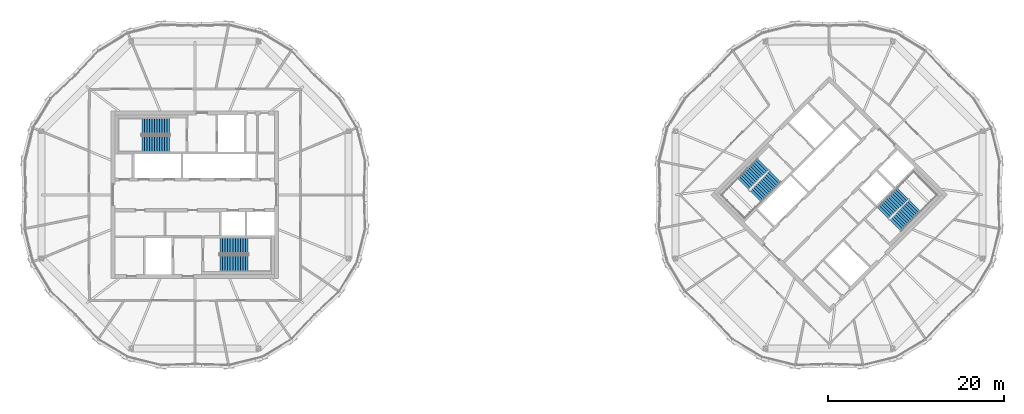
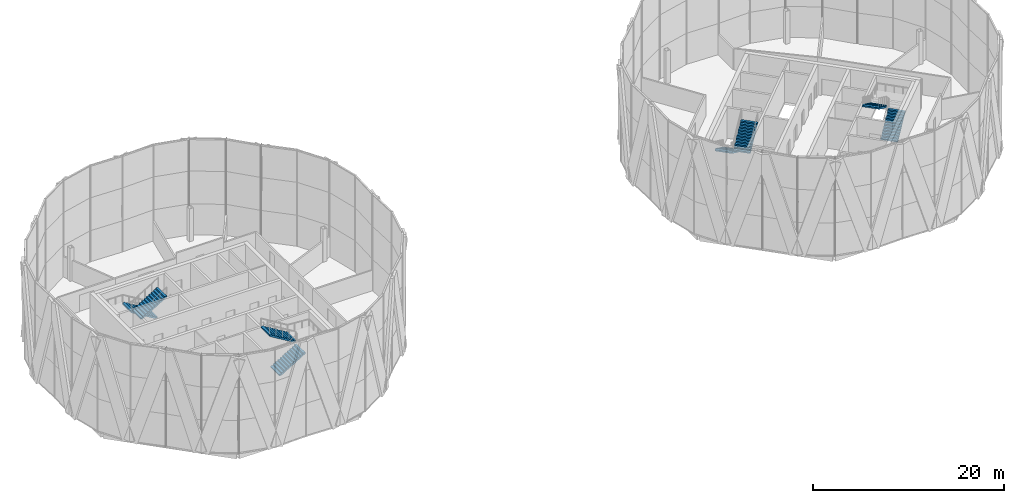
# One storey, part 21 of 23: 8 stair flights, 4 elements without a shape of their own.
"""IFC4 building model written with IfcOpenShell, lengths in metres."""

import ifcopenshell
import ifcopenshell.guid

model = None  # the IFC model being written
_history = None  # IfcOwnerHistory: only IFC2X3 demands one
_inside = {}  # id of a spatial element -> (the spatial element, [elements in it])
_under = {}  # id of a project, library or spatial element -> (it, [spatial elements below it])
_declared = {}  # id of a project -> (the project, [libraries it declares])
_typed = {}  # id of a type object -> (the type object, [elements of that type])
_made_of = {}  # id of a material, layer set ... -> (it, [elements and type objects made of it])


def new_model(schema):
    """Start an empty IFC model of exactly this schema.

    Asked for "IFC4X3", IfcOpenShell would pick the latest addendum, in which some entities
    have other attributes; the version numbers below select the first issue.
    IFC2X3 requires an IfcOwnerHistory on every rooted entity: one is made here for all.
    """
    global model, _history
    if schema == "IFC4X3":
        model = ifcopenshell.file(schema_version=(4, 3, 0, 0))
    else:
        model = ifcopenshell.file(schema=schema)
    _inside.clear()
    _under.clear()
    _declared.clear()
    _typed.clear()
    _made_of.clear()
    _history = None
    if model.schema == "IFC2X3":
        org = make("IfcOrganization", Name="unknown")
        user = make(
            "IfcPersonAndOrganization",
            ThePerson=make("IfcPerson", FamilyName="unknown"),
            TheOrganization=org,
        )
        app = make(
            "IfcApplication",
            ApplicationDeveloper=org,
            Version="unknown",
            ApplicationFullName="unknown",
            ApplicationIdentifier="unknown",
        )
        _history = make(
            "IfcOwnerHistory",
            OwningUser=user,
            OwningApplication=app,
            ChangeAction="ADDED",
            CreationDate=0,
        )
    return model


def make(cls, **values):
    """One entity of the class cls with the attributes given. An attribute that is None is left unset."""
    return model.create_entity(
        cls, **{name: value for name, value in values.items() if value is not None}
    )


def rooted(cls, **values):
    """An entity with a GlobalId (a new one), such as an element, a storey or a relation."""
    return make(cls, GlobalId=ifcopenshell.guid.new(), OwnerHistory=_history, **values)


def si_unit(unit_type, name, prefix=None):
    """IfcSIUnit, for example si_unit("LENGTHUNIT", "METRE", prefix="MILLI")."""
    return make("IfcSIUnit", UnitType=unit_type, Prefix=prefix, Name=name)


def assignment(units):
    """IfcUnitAssignment: the units of a project."""
    return None if units is None else make("IfcUnitAssignment", Units=units)


def point(xyz):
    """IfcCartesianPoint."""
    return None if xyz is None else make("IfcCartesianPoint", Coordinates=xyz)


def direction(xyz):
    """IfcDirection."""
    return None if xyz is None else make("IfcDirection", DirectionRatios=xyz)


def frame(location, z_axis=None, x_axis=None):
    """IfcAxis2Placement3D, a coordinate frame: its origin and axes. An axis left out is left unset."""
    return make(
        "IfcAxis2Placement3D",
        Location=point(location),
        Axis=direction(z_axis),
        RefDirection=direction(x_axis),
    )


def origin():
    """The frame at (0, 0, 0) with its axes left unset."""
    return frame((0.0, 0.0, 0.0))


def place(relative_to, where):
    """IfcLocalPlacement: puts the frame where relative to a parent placement (None: the world)."""
    return make(
        "IfcLocalPlacement", PlacementRelTo=relative_to, RelativePlacement=where
    )


def context(
    kind, dimensions, precision=None, world=None, true_north=None, identifier=None
):
    """IfcGeometricRepresentationContext, for example the 3D "Model" context."""
    return make(
        "IfcGeometricRepresentationContext",
        ContextIdentifier=identifier,
        ContextType=kind,
        CoordinateSpaceDimension=dimensions,
        Precision=precision,
        WorldCoordinateSystem=world,
        TrueNorth=true_north,
    )


def subcontext(parent, identifier, kind, view, scale=None):
    """IfcGeometricRepresentationSubContext, for example "Body" below "Model"."""
    return make(
        "IfcGeometricRepresentationSubContext",
        ContextIdentifier=identifier,
        ContextType=kind,
        ParentContext=parent,
        TargetScale=scale,
        TargetView=view,
    )


def project(units=None, contexts=None):
    """IfcProject with its units and contexts."""
    return rooted(
        "IfcProject",
        Name="project",
        RepresentationContexts=contexts,
        UnitsInContext=assignment(units),
    )


def spatial(cls, under=None, at=None, **own):
    """A site, building, storey or space (cls), placed at a placement, below another one or the project."""
    s = rooted(cls, ObjectPlacement=at, **own)
    if under is not None:
        _under.setdefault(under.id(), (under, []))[1].append(s)
    return s


def polyline(points):
    """IfcPolyline through the points."""
    return make("IfcPolyline", Points=[point(p) for p in points])


def outline(outer, holes=None, kind="AREA"):
    """IfcArbitraryClosedProfileDef: a profile drawn as a closed curve; with holes, ...WithVoids."""
    if holes is None:
        return make("IfcArbitraryClosedProfileDef", ProfileType=kind, OuterCurve=outer)
    return make(
        "IfcArbitraryProfileDefWithVoids",
        ProfileType=kind,
        OuterCurve=outer,
        InnerCurves=holes,
    )


def extrude(swept, where, along, depth):
    """IfcExtrudedAreaSolid: the profile swept, set in the frame where, extruded along a direction by depth."""
    return make(
        "IfcExtrudedAreaSolid",
        SweptArea=swept,
        Position=where,
        ExtrudedDirection=direction(along),
        Depth=depth,
    )


def shape(context_of_items, identifier, shape_type, items):
    """IfcShapeRepresentation: the items that make up one representation, for example the "Body"."""
    return make(
        "IfcShapeRepresentation",
        ContextOfItems=context_of_items,
        RepresentationIdentifier=identifier,
        RepresentationType=shape_type,
        Items=items,
    )


def material(Name=None, Category=None):
    """IfcMaterial."""
    return make("IfcMaterial", Name=Name, Category=Category)


def made_of(thing, what):
    """Note that an element or type object is made of a material, layer set ...; save() writes the relation."""
    if what is not None:
        _made_of.setdefault(what.id(), (what, []))[1].append(thing)
    return thing


def type_object(cls, material=None, **own):
    """A type object (cls), such as IfcWallType, which elements share."""
    return made_of(rooted(cls, **own), material)


def element(
    cls,
    number,
    at=None,
    inside=None,
    cuts=None,
    type_object=None,
    material=None,
    context=None,
    identifier="Body",
    shape_type=None,
    held_by="IfcProductDefinitionShape",
    body=None,
    shapes=None,
    **own,
):
    """One element of the class cls, such as IfcWall. Its Tag is "e" and its number.

    at: its placement. inside: the storey or other place that contains it. cuts: it is an
    opening in that element (IfcRelVoidsElement). A single representation is given by context,
    identifier, shape_type and body (its items); several are given by shapes. held_by: the class
    of the entity that holds the representations. save() writes the other relations.
    """
    e = rooted(cls, Tag="e%d" % number, ObjectPlacement=at, **own)
    if body is not None:
        shapes = [shape(context, identifier, shape_type, body)]
    if shapes is not None:
        e.Representation = make(held_by, Representations=shapes)
    if inside is not None:
        _inside.setdefault(inside.id(), (inside, []))[1].append(e)
    if cuts is not None:
        rooted(
            "IfcRelVoidsElement", RelatingBuildingElement=cuts, RelatedOpeningElement=e
        )
    if type_object is not None:
        _typed.setdefault(type_object.id(), (type_object, []))[1].append(e)
    return made_of(e, material)


def aggregate(whole, parts):
    """IfcRelAggregates: a whole, such as a stair, and the parts it consists of."""
    return rooted("IfcRelAggregates", RelatingObject=whole, RelatedObjects=parts)


def save(model, path):
    """Write the relations noted so far, then the file.

    IfcRelAggregates (storeys below a building ...), IfcRelContainedInSpatialStructure (elements
    in a storey), IfcRelDefinesByType, IfcRelAssociatesMaterial and IfcRelDeclares: one each for
    every whole, place, type object, material and project.
    """
    for whole, parts in _under.values():
        aggregate(whole, parts)
    for where, things in _inside.values():
        rooted(
            "IfcRelContainedInSpatialStructure",
            RelatedElements=things,
            RelatingStructure=where,
        )
    for kind, things in _typed.values():
        rooted("IfcRelDefinesByType", RelatedObjects=things, RelatingType=kind)
    for what, things in _made_of.values():
        rooted("IfcRelAssociatesMaterial", RelatedObjects=things, RelatingMaterial=what)
    for by, libraries in _declared.values():
        rooted("IfcRelDeclares", RelatingContext=by, RelatedDefinitions=libraries)
    model.write(path)


model = new_model("IFC4")

# Units and contexts
model_context = context("Model", 3, precision=1e-05, world=origin(), true_north=direction((0.0, 1.0)))
body_context = subcontext(model_context, "Body", "Model", "MODEL_VIEW")
ifc_project = project(units=[si_unit("LENGTHUNIT", "METRE"), si_unit("AREAUNIT", "SQUARE_METRE"), si_unit("VOLUMEUNIT", "CUBIC_METRE"), si_unit("PLANEANGLEUNIT", "RADIAN"), si_unit("MASSUNIT", "GRAM", prefix="KILO")], contexts=[model_context])

# Site, building, storey
site_placement = place(None, origin())
site = spatial("IfcSite", under=ifc_project, at=site_placement, CompositionType="ELEMENT")
building_placement = place(site_placement, origin())
building = spatial("IfcBuilding", under=site, at=building_placement, Name="Ogive Gate Towers", CompositionType="ELEMENT")
storey_placement = place(building_placement, frame((0.0, 0.0, 256.199951171875)))
storey = spatial("IfcBuildingStorey", under=building, at=storey_placement, Name="L60", CompositionType="ELEMENT", Elevation=256.199951171875)

# Stair, stair flights
ifc_material = material(Name="Concrete C40/50", Category="concrete")
stair_type = type_object("IfcStairType", Name="Escape stair 1840 wide", PredefinedType="HALF_TURN_STAIR", material=ifc_material)
stair_1_placement = place(storey_placement, origin())
stair_1 = element("IfcStair", 1, at=stair_1_placement, inside=storey, type_object=stair_type, Name="L60 Escape stair 1", PredefinedType="HALF_TURN_STAIR")
stair_flight_type = type_object("IfcStairFlightType", Name="Stair flight 1840 wide", PredefinedType="STRAIGHT", material=ifc_material)
stair_flight_1_placement = place(storey_placement, frame((-38.864990234375, 7.780029296875, 0.0), z_axis=(0.0, 0.0, 1.0), x_axis=(-1.0, 0.0, 0.0)))
stair_flight_1 = element("IfcStairFlight", 2, at=stair_flight_1_placement, type_object=stair_flight_type, Name="ST1 flight 1", NumberOfRisers=12, NumberOfTreads=11, PredefinedType="STRAIGHT", RiserHeight=0.175, TreadLength=0.2875, context=body_context, shape_type="SweptSolid", body=[
    extrude(outline(polyline([(0.0, 0.0), (0.0, 0.175048828125), (0.28759765625, 0.175048828125), (0.28759765625, 0.35009765625), (0.574951171875, 0.35009765625), (0.574951171875, 0.52490234375), (0.862548828125, 0.52490234375), (0.862548828125, 0.699951171875), (1.14990234375, 0.699951171875), (1.14990234375, 0.875), (1.4375, 0.875), (1.4375, 1.050048828125), (1.72509765625, 1.050048828125), (1.72509765625, 1.22509765625), (2.012451171875, 1.22509765625), (2.012451171875, 1.39990234375), (2.300048828125, 1.39990234375), (2.300048828125, 1.574951171875), (2.58740234375, 1.574951171875), (2.58740234375, 1.75), (2.875, 1.75), (2.875, 1.925048828125), (3.16259765625, 1.925048828125), (3.16259765625, 2.10009765625), (3.16259765625, 1.74951171875), (0.288330078125, 0.0), (0.0, 0.0)])), frame((0.0, 0.919921875, 0.0), z_axis=(0.0, -1.0, 0.0), x_axis=(1.0, 0.0, 0.0)), (0.0, 0.0, 1.0), 1.840087890625),
])
stair_flight_2_placement = place(storey_placement, frame((-42.027587890625, 5.794921875, 2.10009765625), z_axis=(0.0, 0.0, 1.0), x_axis=(1.0, 0.0, 0.0)))
stair_flight_2 = element("IfcStairFlight", 3, at=stair_flight_2_placement, type_object=stair_flight_type, Name="ST1 flight 2", NumberOfRisers=12, NumberOfTreads=11, PredefinedType="STRAIGHT", RiserHeight=0.175, TreadLength=0.2875, context=body_context, shape_type="SweptSolid", body=[
    extrude(outline(polyline([(0.0, 0.0), (0.0, 0.175048828125), (0.28759765625, 0.175048828125), (0.28759765625, 0.35009765625), (0.574951171875, 0.35009765625), (0.574951171875, 0.52490234375), (0.862548828125, 0.52490234375), (0.862548828125, 0.699951171875), (1.14990234375, 0.699951171875), (1.14990234375, 0.875), (1.4375, 0.875), (1.4375, 1.050048828125), (1.72509765625, 1.050048828125), (1.72509765625, 1.22509765625), (2.012451171875, 1.22509765625), (2.012451171875, 1.39990234375), (2.300048828125, 1.39990234375), (2.300048828125, 1.574951171875), (2.58740234375, 1.574951171875), (2.58740234375, 1.75), (2.875, 1.75), (2.875, 1.925048828125), (3.16259765625, 1.925048828125), (3.16259765625, 2.10009765625), (3.16259765625, 1.74951171875), (0.288330078125, 0.0), (0.0, 0.0)])), frame((0.0, 0.919921875, 0.0), z_axis=(0.0, -1.0, 0.0), x_axis=(1.0, 0.0, 0.0)), (0.0, 0.0, 1.0), 1.840087890625),
])
aggregate(stair_1, [stair_flight_1, stair_flight_2])

stair_2_placement = place(storey_placement, origin())
stair_2 = element("IfcStair", 4, at=stair_2_placement, inside=storey, type_object=stair_type, Name="L60 Escape stair 2", PredefinedType="HALF_TURN_STAIR")
stair_flight_3_placement = place(storey_placement, frame((-33.135009765625, -7.780029296875, 0.0), z_axis=(0.0, 0.0, 1.0), x_axis=(1.0, 0.0, 0.0)))
stair_flight_3 = element("IfcStairFlight", 5, at=stair_flight_3_placement, type_object=stair_flight_type, Name="ST2 flight 1", NumberOfRisers=12, NumberOfTreads=11, PredefinedType="STRAIGHT", RiserHeight=0.175, TreadLength=0.2875, context=body_context, shape_type="SweptSolid", body=[
    extrude(outline(polyline([(0.0, 0.0), (0.0, 0.175048828125), (0.28759765625, 0.175048828125), (0.28759765625, 0.35009765625), (0.574951171875, 0.35009765625), (0.574951171875, 0.52490234375), (0.862548828125, 0.52490234375), (0.862548828125, 0.699951171875), (1.14990234375, 0.699951171875), (1.14990234375, 0.875), (1.4375, 0.875), (1.4375, 1.050048828125), (1.72509765625, 1.050048828125), (1.72509765625, 1.22509765625), (2.012451171875, 1.22509765625), (2.012451171875, 1.39990234375), (2.300048828125, 1.39990234375), (2.300048828125, 1.574951171875), (2.58740234375, 1.574951171875), (2.58740234375, 1.75), (2.875, 1.75), (2.875, 1.925048828125), (3.16259765625, 1.925048828125), (3.16259765625, 2.10009765625), (3.16259765625, 1.74951171875), (0.288330078125, 0.0), (0.0, 0.0)])), frame((0.0, 0.919921875, 0.0), z_axis=(0.0, -1.0, 0.0), x_axis=(1.0, 0.0, 0.0)), (0.0, 0.0, 1.0), 1.840087890625),
])
stair_flight_4_placement = place(storey_placement, frame((-29.972412109375, -5.794921875, 2.10009765625), z_axis=(0.0, 0.0, 1.0), x_axis=(-1.0, 0.0, 0.0)))
stair_flight_4 = element("IfcStairFlight", 6, at=stair_flight_4_placement, type_object=stair_flight_type, Name="ST2 flight 2", NumberOfRisers=12, NumberOfTreads=11, PredefinedType="STRAIGHT", RiserHeight=0.175, TreadLength=0.2875, context=body_context, shape_type="SweptSolid", body=[
    extrude(outline(polyline([(0.0, 0.0), (0.0, 0.175048828125), (0.28759765625, 0.175048828125), (0.28759765625, 0.35009765625), (0.574951171875, 0.35009765625), (0.574951171875, 0.52490234375), (0.862548828125, 0.52490234375), (0.862548828125, 0.699951171875), (1.14990234375, 0.699951171875), (1.14990234375, 0.875), (1.4375, 0.875), (1.4375, 1.050048828125), (1.72509765625, 1.050048828125), (1.72509765625, 1.22509765625), (2.012451171875, 1.22509765625), (2.012451171875, 1.39990234375), (2.300048828125, 1.39990234375), (2.300048828125, 1.574951171875), (2.58740234375, 1.574951171875), (2.58740234375, 1.75), (2.875, 1.75), (2.875, 1.925048828125), (3.16259765625, 1.925048828125), (3.16259765625, 2.10009765625), (3.16259765625, 1.74951171875), (0.288330078125, 0.0), (0.0, 0.0)])), frame((0.0, 0.919921875, 0.0), z_axis=(0.0, -1.0, 0.0), x_axis=(1.0, 0.0, 0.0)), (0.0, 0.0, 1.0), 1.840087890625),
])
aggregate(stair_2, [stair_flight_3, stair_flight_4])

stair_3_placement = place(storey_placement, origin())
stair_3 = element("IfcStair", 7, at=stair_3_placement, inside=storey, type_object=stair_type, Name="L60 Escape stair 1", PredefinedType="HALF_TURN_STAIR")
stair_flight_5_placement = place(storey_placement, frame((28.472900390625, 3.475341796875, 0.0), z_axis=(0.0, 0.0, 1.0), x_axis=(-0.707106781187, -0.707106781187, 0.0)))
stair_flight_5 = element("IfcStairFlight", 8, at=stair_flight_5_placement, type_object=stair_flight_type, Name="ST1 flight 1", NumberOfRisers=12, NumberOfTreads=11, PredefinedType="STRAIGHT", RiserHeight=0.175, TreadLength=0.2875, context=body_context, shape_type="SweptSolid", body=[
    extrude(outline(polyline([(0.0, 0.0), (0.0, 0.175048828125), (0.28759765625, 0.175048828125), (0.28759765625, 0.35009765625), (0.574951171875, 0.35009765625), (0.574951171875, 0.52490234375), (0.862548828125, 0.52490234375), (0.862548828125, 0.699951171875), (1.14990234375, 0.699951171875), (1.14990234375, 0.875), (1.4375, 0.875), (1.4375, 1.050048828125), (1.72509765625, 1.050048828125), (1.72509765625, 1.22509765625), (2.012451171875, 1.22509765625), (2.012451171875, 1.39990234375), (2.300048828125, 1.39990234375), (2.300048828125, 1.574951171875), (2.58740234375, 1.574951171875), (2.58740234375, 1.75), (2.875, 1.75), (2.875, 1.925048828125), (3.16259765625, 1.925048828125), (3.16259765625, 2.10009765625), (3.16259765625, 1.74951171875), (0.288330078125, 0.0), (0.0, 0.0)])), frame((0.0, 0.919921875, 0.0), z_axis=(0.0, -1.0, 0.0), x_axis=(1.0, 0.0, 0.0)), (0.0, 0.0, 1.0), 1.840087890625),
])
stair_flight_6_placement = place(storey_placement, frame((27.64013671875, -0.164306640625, 2.10009765625), z_axis=(0.0, 0.0, 1.0), x_axis=(0.707106781187, 0.707106781187, 0.0)))
stair_flight_6 = element("IfcStairFlight", 9, at=stair_flight_6_placement, type_object=stair_flight_type, Name="ST1 flight 2", NumberOfRisers=12, NumberOfTreads=11, PredefinedType="STRAIGHT", RiserHeight=0.175, TreadLength=0.2875, context=body_context, shape_type="SweptSolid", body=[
    extrude(outline(polyline([(0.0, 0.0), (0.0, 0.175048828125), (0.28759765625, 0.175048828125), (0.28759765625, 0.35009765625), (0.574951171875, 0.35009765625), (0.574951171875, 0.52490234375), (0.862548828125, 0.52490234375), (0.862548828125, 0.699951171875), (1.14990234375, 0.699951171875), (1.14990234375, 0.875), (1.4375, 0.875), (1.4375, 1.050048828125), (1.72509765625, 1.050048828125), (1.72509765625, 1.22509765625), (2.012451171875, 1.22509765625), (2.012451171875, 1.39990234375), (2.300048828125, 1.39990234375), (2.300048828125, 1.574951171875), (2.58740234375, 1.574951171875), (2.58740234375, 1.75), (2.875, 1.75), (2.875, 1.925048828125), (3.16259765625, 1.925048828125), (3.16259765625, 2.10009765625), (3.16259765625, 1.74951171875), (0.288330078125, 0.0), (0.0, 0.0)])), frame((0.0, 0.919921875, 0.0), z_axis=(0.0, -1.0, 0.0), x_axis=(1.0, 0.0, 0.0)), (0.0, 0.0, 1.0), 1.840087890625),
])
aggregate(stair_3, [stair_flight_5, stair_flight_6])

stair_4_placement = place(storey_placement, origin())
stair_4 = element("IfcStair", 10, at=stair_4_placement, inside=storey, type_object=stair_type, Name="L60 Escape stair 2", PredefinedType="HALF_TURN_STAIR")
stair_flight_7_placement = place(storey_placement, frame((43.527099609375, -3.475341796875, 0.0), z_axis=(0.0, 0.0, 1.0), x_axis=(0.707106781187, 0.707106781187, 0.0)))
stair_flight_7 = element("IfcStairFlight", 11, at=stair_flight_7_placement, type_object=stair_flight_type, Name="ST2 flight 1", NumberOfRisers=12, NumberOfTreads=11, PredefinedType="STRAIGHT", RiserHeight=0.175, TreadLength=0.2875, context=body_context, shape_type="SweptSolid", body=[
    extrude(outline(polyline([(0.0, 0.0), (0.0, 0.175048828125), (0.28759765625, 0.175048828125), (0.28759765625, 0.35009765625), (0.574951171875, 0.35009765625), (0.574951171875, 0.52490234375), (0.862548828125, 0.52490234375), (0.862548828125, 0.699951171875), (1.14990234375, 0.699951171875), (1.14990234375, 0.875), (1.4375, 0.875), (1.4375, 1.050048828125), (1.72509765625, 1.050048828125), (1.72509765625, 1.22509765625), (2.012451171875, 1.22509765625), (2.012451171875, 1.39990234375), (2.300048828125, 1.39990234375), (2.300048828125, 1.574951171875), (2.58740234375, 1.574951171875), (2.58740234375, 1.75), (2.875, 1.75), (2.875, 1.925048828125), (3.16259765625, 1.925048828125), (3.16259765625, 2.10009765625), (3.16259765625, 1.74951171875), (0.288330078125, 0.0), (0.0, 0.0)])), frame((0.0, 0.919921875, 0.0), z_axis=(0.0, -1.0, 0.0), x_axis=(1.0, 0.0, 0.0)), (0.0, 0.0, 1.0), 1.840087890625),
])
stair_flight_8_placement = place(storey_placement, frame((44.35986328125, 0.164306640625, 2.10009765625), z_axis=(0.0, 0.0, 1.0), x_axis=(-0.707106781187, -0.707106781187, 0.0)))
stair_flight_8 = element("IfcStairFlight", 12, at=stair_flight_8_placement, type_object=stair_flight_type, Name="ST2 flight 2", NumberOfRisers=12, NumberOfTreads=11, PredefinedType="STRAIGHT", RiserHeight=0.175, TreadLength=0.2875, context=body_context, shape_type="SweptSolid", body=[
    extrude(outline(polyline([(0.0, 0.0), (0.0, 0.175048828125), (0.28759765625, 0.175048828125), (0.28759765625, 0.35009765625), (0.574951171875, 0.35009765625), (0.574951171875, 0.52490234375), (0.862548828125, 0.52490234375), (0.862548828125, 0.699951171875), (1.14990234375, 0.699951171875), (1.14990234375, 0.875), (1.4375, 0.875), (1.4375, 1.050048828125), (1.72509765625, 1.050048828125), (1.72509765625, 1.22509765625), (2.012451171875, 1.22509765625), (2.012451171875, 1.39990234375), (2.300048828125, 1.39990234375), (2.300048828125, 1.574951171875), (2.58740234375, 1.574951171875), (2.58740234375, 1.75), (2.875, 1.75), (2.875, 1.925048828125), (3.16259765625, 1.925048828125), (3.16259765625, 2.10009765625), (3.16259765625, 1.74951171875), (0.288330078125, 0.0), (0.0, 0.0)])), frame((0.0, 0.919921875, 0.0), z_axis=(0.0, -1.0, 0.0), x_axis=(1.0, 0.0, 0.0)), (0.0, 0.0, 1.0), 1.840087890625),
])
aggregate(stair_4, [stair_flight_7, stair_flight_8])

save(model, "model.ifc")
